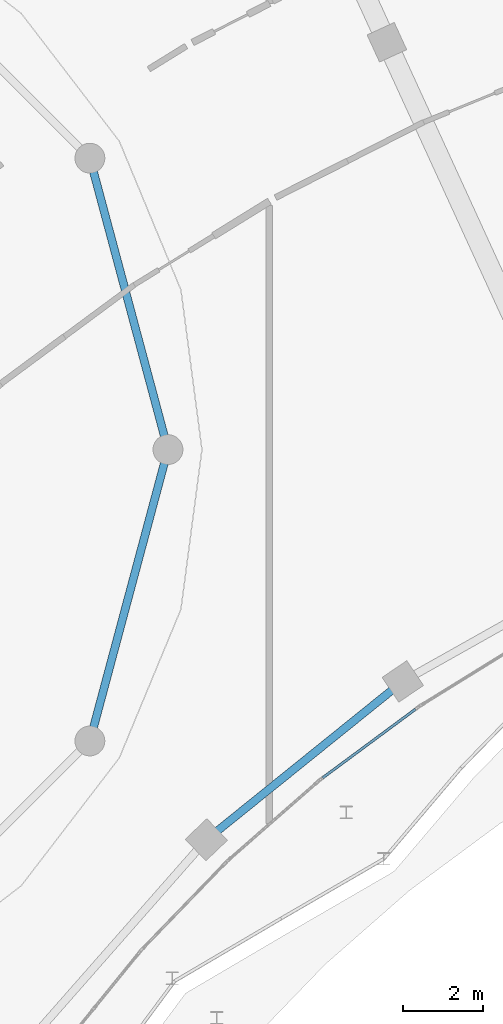
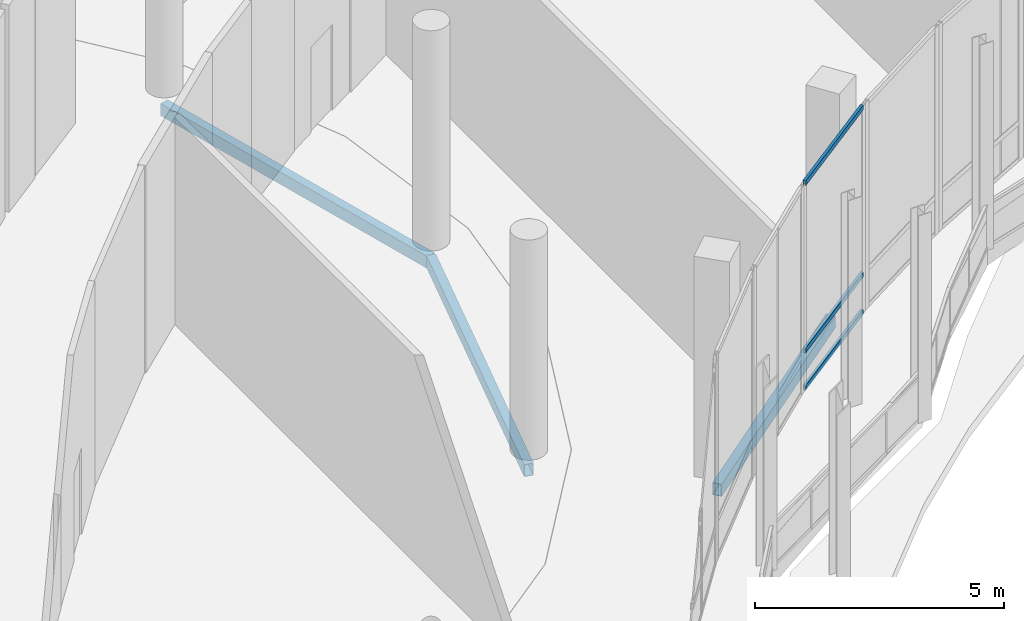
# One storey, part 61 of 158: 3 beams, 3 members, 1 element without a shape of its own.
"""IFC4 building model written with IfcOpenShell, lengths in metres."""

from ifc_helpers import new_model, si_unit, direction, frame, origin, origin_2d, place, context, subcontext, project, spatial, hollow_rectangle, extrude, material, material_profile, profile_set, type_object, element, aggregate, save


model = new_model("IFC4")

# Units and contexts
model_context = context("Model", 3, precision=1e-05, world=origin(), true_north=direction((0.0, 1.0)))
body_context = subcontext(model_context, "Body", "Model", "MODEL_VIEW")
ifc_project = project(units=[si_unit("LENGTHUNIT", "METRE"), si_unit("AREAUNIT", "SQUARE_METRE"), si_unit("VOLUMEUNIT", "CUBIC_METRE"), si_unit("PLANEANGLEUNIT", "RADIAN"), si_unit("MASSUNIT", "GRAM", prefix="KILO")], contexts=[model_context])

# Site, building, storey
site_placement = place(None, origin())
site = spatial("IfcSite", under=ifc_project, at=site_placement, CompositionType="ELEMENT")
building_placement = place(site_placement, origin())
building = spatial("IfcBuilding", under=site, at=building_placement, Name="Selatvlak General Hospital", CompositionType="ELEMENT")
storey_placement = place(building_placement, origin())
storey = spatial("IfcBuildingStorey", under=building, at=storey_placement, Name="L00", CompositionType="ELEMENT", Elevation=0.0)

# Beams
ifc_material_1 = material(Name="Steel S355", Category="steel")
ifc_material_profile_1 = material_profile(ifc_material_1, hollow_rectangle(XDim=0.199951171875, YDim=0.300048828125, WallThickness=0.011962890625, at=origin_2d()), Name="RHS 300x200x12")
ifc_profile_set_1 = profile_set([ifc_material_profile_1], Name="Steel S355")
beam_type = type_object("IfcBeamType", Name="BM-SP3", PredefinedType="SPANDREL", material=ifc_profile_set_1)
for number, where, z_axis, x_axis, name in (
    (1, (110.68701171875, 46.675048828125, -0.5), (0.25884068345, 0.965920028052, 0.0), (-0.965920028052, 0.25884068345, 0.0), "Beam BMR-L00-0328"),
    (2, (112.64990234375, 54.0, -0.5), (-0.25884068345, 0.965920028052, 0.0), (-0.965920028052, -0.25884068345, 0.0), "Beam BMR-L00-0329"),
):
    element("IfcBeam", number, at=place(storey_placement, frame(where, z_axis=z_axis, x_axis=x_axis)), inside=storey, type_object=beam_type, Name=name, PredefinedType="SPANDREL", context=body_context, shape_type="SweptSolid", body=[
        extrude(hollow_rectangle(XDim=0.199951171875, YDim=0.300048828125, WallThickness=0.011962890625, at=origin_2d()), origin(), (0.0, 0.0, 1.0), 7.58349609375),
    ])
beam_placement = place(storey_placement, frame((113.614990234375, 44.19189453125, -0.5), z_axis=(0.778568955278, 0.627559066444, 0.0), x_axis=(-0.627559066444, 0.778568955278, 0.0)))
element("IfcBeam", 3, at=beam_placement, inside=storey, type_object=beam_type, Name="Beam BMR-L00-0378", PredefinedType="SPANDREL", context=body_context, shape_type="SweptSolid", body=[
    extrude(hollow_rectangle(XDim=0.199951171875, YDim=0.300048828125, WallThickness=0.011962890625, at=origin_2d()), origin(), (0.0, 0.0, 1.0), 6.34228515625),
])

# Curtain wall, members
ifc_material_2 = material(Name="Solar-control Low-E double glazing", Category="glass")
curtain_wall_type = type_object("IfcCurtainWallType", Name="CW-CW-01", PredefinedType="USERDEFINED", material=ifc_material_2)
curtain_wall_placement = place(storey_placement, origin())
curtain_wall = element("IfcCurtainWall", 4, at=curtain_wall_placement, inside=storey, type_object=curtain_wall_type, Name="Glazed facade curtain wall CW-L00-0039", ObjectType="UNITISED CURTAIN WALL", PredefinedType="USERDEFINED")
ifc_material_3 = material(Name="Dark anodised aluminium mullion", Category="aluminium")
ifc_material_profile_2 = material_profile(ifc_material_3, hollow_rectangle(XDim=0.06494140625, YDim=0.1201171875, WallThickness=0.00390625, at=origin_2d()), Name="AL-TRN 65x120x4")
ifc_profile_set_2 = profile_set([ifc_material_profile_2], Name="Dark anodised aluminium mullion")
member_type = type_object("IfcMemberType", Name="CWT-01", PredefinedType="USERDEFINED", material=ifc_profile_set_2)
member_1_placement = place(storey_placement, frame((118.871826171875, 47.474365234375, 0.032470703125), z_axis=(-0.80399954052, -0.594629917549, 0.0), x_axis=(0.594629917549, -0.80399954052, 0.0)))
member_1 = element("IfcMember", 5, at=member_1_placement, type_object=member_type, Name="CW-01 transom 1.1", ObjectType="TRANSOM", PredefinedType="USERDEFINED", context=body_context, shape_type="SweptSolid", body=[
    extrude(hollow_rectangle(XDim=0.06494140625, YDim=0.1201171875, WallThickness=0.00390625, at=origin_2d()), origin(), (0.0, 0.0, 1.0), 2.90234375),
])
member_2_placement = place(storey_placement, frame((118.871826171875, 47.474365234375, 0.949951171875), z_axis=(-0.80399954052, -0.594629917549, 0.0), x_axis=(0.594629917549, -0.80399954052, 0.0)))
member_2 = element("IfcMember", 6, at=member_2_placement, type_object=member_type, Name="CW-01 transom 1.2", ObjectType="TRANSOM", PredefinedType="USERDEFINED", context=body_context, shape_type="SweptSolid", body=[
    extrude(hollow_rectangle(XDim=0.06494140625, YDim=0.1201171875, WallThickness=0.00390625, at=origin_2d()), origin(), (0.0, 0.0, 1.0), 2.90234375),
])
member_3_placement = place(storey_placement, frame((118.871826171875, 47.474365234375, 5.047607421875), z_axis=(-0.80399954052, -0.594629917549, 0.0), x_axis=(0.594629917549, -0.80399954052, 0.0)))
member_3 = element("IfcMember", 7, at=member_3_placement, type_object=member_type, Name="CW-01 transom 1.3", ObjectType="TRANSOM", PredefinedType="USERDEFINED", context=body_context, shape_type="SweptSolid", body=[
    extrude(hollow_rectangle(XDim=0.06494140625, YDim=0.1201171875, WallThickness=0.00390625, at=origin_2d()), origin(), (0.0, 0.0, 1.0), 2.90234375),
])
aggregate(curtain_wall, [member_1, member_2, member_3])

save(model, "model.ifc")
